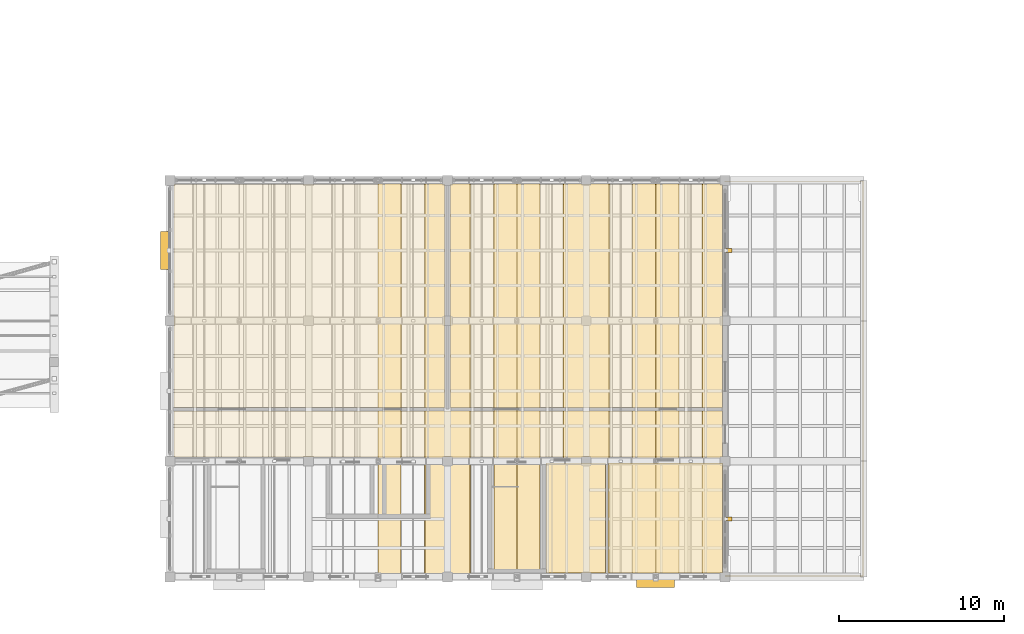
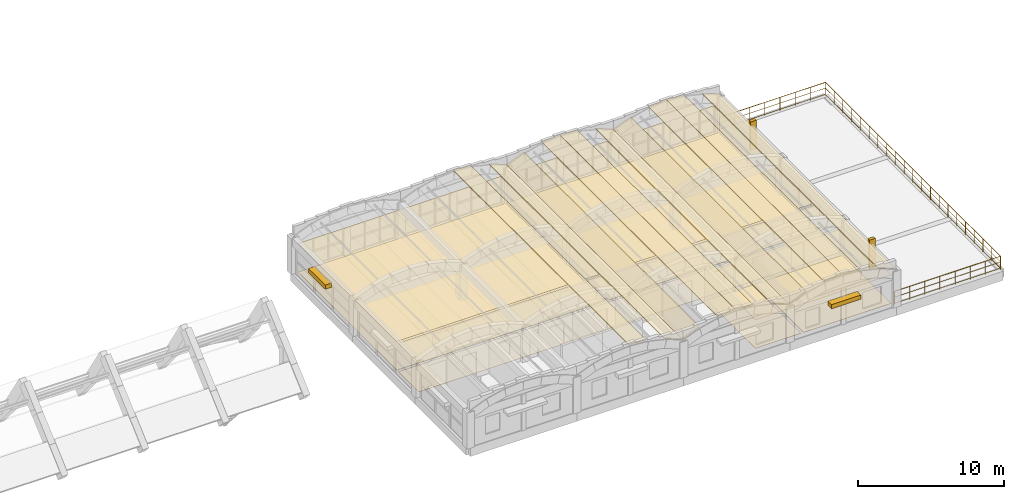
# One storey, part 39 of 40: 20 coverings, 4 shading devices, 1 railing.
"""IFC4 building model written with IfcOpenShell, lengths in metres."""

from ifc_helpers import new_model, si_unit, direction, frame, origin, origin_2d, place, context, subcontext, project, spatial, polyline, rectangle, circle, outline, extrude, material, layer, layer_set, type_object, element, save


model = new_model("IFC4")

# Units and contexts
model_context = context("Model", 3, precision=1e-05, world=origin(), true_north=direction((0.0, 1.0)))
body_context = subcontext(model_context, "Body", "Model", "MODEL_VIEW")
ifc_project = project(units=[si_unit("LENGTHUNIT", "METRE"), si_unit("AREAUNIT", "SQUARE_METRE"), si_unit("VOLUMEUNIT", "CUBIC_METRE"), si_unit("PLANEANGLEUNIT", "RADIAN"), si_unit("MASSUNIT", "GRAM", prefix="KILO")], contexts=[model_context])

# Site, building, storey
site_placement = place(None, origin())
site = spatial("IfcSite", under=ifc_project, at=site_placement, CompositionType="ELEMENT")
building_placement = place(site_placement, origin())
building = spatial("IfcBuilding", under=site, at=building_placement, Name="Trellovar Central Fire Station", CompositionType="ELEMENT")
storey_placement = place(building_placement, frame((0.0, 0.0, 12.75)))
storey = spatial("IfcBuildingStorey", under=building, at=storey_placement, Name="L04", CompositionType="ELEMENT", Elevation=12.75)

# Coverings
ifc_material_1 = material(Name="Perforated acoustic mineral fiber ceiling tile", Category="mineral")
ifc_layer_1 = layer(ifc_material_1, 0.02490234375)
ifc_layer_set_1 = layer_set([ifc_layer_1], Name="Perforated acoustic mineral fiber ceiling tile")
covering_type_1 = type_object("IfcCoveringType", Name="COV-CLG1", PredefinedType="CEILING", material=ifc_layer_set_1)
covering_1_placement = place(storey_placement, frame((0.0, 0.0, 2.3798828125)))
element("IfcCovering", 1, at=covering_1_placement, inside=storey, type_object=covering_type_1, Name="Executive Command Corridor suspended ceiling", PredefinedType="CEILING", context=body_context, shape_type="SweptSolid", body=[
    extrude(outline(polyline([(138.949951171875, 19.050048828125), (138.949951171875, 16.25), (105.75, 16.25), (105.75, 19.050048828125), (138.949951171875, 19.050048828125)])), origin(), (0.0, 0.0, 1.0), 0.025146484375),
])
covering_2_placement = place(storey_placement, frame((0.0, 0.0, 2.3798828125)))
element("IfcCovering", 2, at=covering_2_placement, inside=storey, type_object=covering_type_1, Name="Fire Chief and Deputy Chiefs Suite suspended ceiling", PredefinedType="CEILING", context=body_context, shape_type="SweptSolid", body=[
    extrude(outline(polyline([(122.14990234375, 32.75), (122.14990234375, 19.25), (105.75, 19.25), (105.75, 32.75), (122.14990234375, 32.75)])), origin(), (0.0, 0.0, 1.0), 0.025146484375),
])
covering_3_placement = place(storey_placement, frame((0.0, 0.0, 2.3798828125)))
element("IfcCovering", 3, at=covering_3_placement, inside=storey, type_object=covering_type_1, Name="Metropolitan Fire Commission Boardroom suspended ceiling", PredefinedType="CEILING", context=body_context, shape_type="SweptSolid", body=[
    extrude(outline(polyline([(138.949951171875, 32.75), (138.949951171875, 19.25), (122.449951171875, 19.25), (122.449951171875, 32.75), (138.949951171875, 32.75)])), origin(), (0.0, 0.0, 1.0), 0.025146484375),
])
covering_4_placement = place(storey_placement, frame((0.0, 0.0, 2.3798828125)))
element("IfcCovering", 4, at=covering_4_placement, inside=storey, type_object=covering_type_1, Name="Press Briefing Media Studio suspended ceiling", PredefinedType="CEILING", context=body_context, shape_type="SweptSolid", body=[
    extrude(outline(polyline([(138.949951171875, 15.89990234375), (138.949951171875, 9.25), (132.050048828125, 9.25), (132.050048828125, 15.89990234375), (138.949951171875, 15.89990234375)])), origin(), (0.0, 0.0, 1.0), 0.025146484375),
])
ifc_material_2 = material(Name="Moisture-resistant gypsum ceiling board", Category="gypsum")
ifc_layer_2 = layer(ifc_material_2, 0.030029296875)
ifc_layer_set_2 = layer_set([ifc_layer_2], Name="Moisture-resistant gypsum ceiling board")
covering_type_2 = type_object("IfcCoveringType", Name="COV-CLG2", PredefinedType="CEILING", material=ifc_layer_set_2)
covering_5_placement = place(storey_placement, frame((0.0, 0.0, 2.3798828125)))
element("IfcCovering", 5, at=covering_5_placement, inside=storey, type_object=covering_type_2, Name="Executive Accessible Restroom suspended ceiling", PredefinedType="CEILING", context=body_context, shape_type="SweptSolid", body=[
    extrude(outline(polyline([(131.85009765625, 15.89990234375), (131.85009765625, 9.25), (128.25, 9.25), (128.25, 15.89990234375), (131.85009765625, 15.89990234375)])), origin(), (0.0, 0.0, 1.0), 0.030029296875),
])
ifc_material_3 = material(Name="Vitrified Catalan ceramic floor tile", Category="masonry")
ifc_layer_3 = layer(ifc_material_3, 0.01806640625)
ifc_layer_set_3 = layer_set([ifc_layer_3], Name="Vitrified Catalan ceramic floor tile")
covering_type_3 = type_object("IfcCoveringType", Name="COV-FLR2", PredefinedType="FLOORING", material=ifc_layer_set_3)
covering_6_placement = place(storey_placement, origin())
element("IfcCovering", 6, at=covering_6_placement, inside=storey, type_object=covering_type_3, Name="Executive Command Corridor floor finish", PredefinedType="FLOORING", context=body_context, shape_type="SweptSolid", body=[
    extrude(outline(polyline([(138.949951171875, 19.050048828125), (138.949951171875, 16.25), (105.75, 16.25), (105.75, 19.050048828125), (138.949951171875, 19.050048828125)])), origin(), (0.0, 0.0, 1.0), 0.01806640625),
])
covering_7_placement = place(storey_placement, origin())
element("IfcCovering", 7, at=covering_7_placement, inside=storey, type_object=covering_type_3, Name="Fire Chief and Deputy Chiefs Suite floor finish", PredefinedType="FLOORING", context=body_context, shape_type="SweptSolid", body=[
    extrude(outline(polyline([(122.14990234375, 32.75), (122.14990234375, 19.25), (105.75, 19.25), (105.75, 32.75), (122.14990234375, 32.75)])), origin(), (0.0, 0.0, 1.0), 0.01806640625),
])
covering_8_placement = place(storey_placement, origin())
element("IfcCovering", 8, at=covering_8_placement, inside=storey, type_object=covering_type_3, Name="Metropolitan Fire Commission Boardroom floor finish", PredefinedType="FLOORING", context=body_context, shape_type="SweptSolid", body=[
    extrude(outline(polyline([(138.949951171875, 32.75), (138.949951171875, 19.25), (122.449951171875, 19.25), (122.449951171875, 32.75), (138.949951171875, 32.75)])), origin(), (0.0, 0.0, 1.0), 0.01806640625),
])
covering_9_placement = place(storey_placement, origin())
element("IfcCovering", 9, at=covering_9_placement, inside=storey, type_object=covering_type_3, Name="Executive Accessible Restroom floor finish", PredefinedType="FLOORING", context=body_context, shape_type="SweptSolid", body=[
    extrude(outline(polyline([(131.85009765625, 15.89990234375), (131.85009765625, 9.25), (128.25, 9.25), (128.25, 15.89990234375), (131.85009765625, 15.89990234375)])), origin(), (0.0, 0.0, 1.0), 0.01806640625),
])
covering_10_placement = place(storey_placement, origin())
element("IfcCovering", 10, at=covering_10_placement, inside=storey, type_object=covering_type_3, Name="Press Briefing Media Studio floor finish", PredefinedType="FLOORING", context=body_context, shape_type="SweptSolid", body=[
    extrude(outline(polyline([(138.949951171875, 15.89990234375), (138.949951171875, 9.25), (132.050048828125, 9.25), (132.050048828125, 15.89990234375), (138.949951171875, 15.89990234375)])), origin(), (0.0, 0.0, 1.0), 0.01806640625),
])
ifc_material_4 = material(Name="Glazed ceramic trencadis roofing", Category="masonry")
ifc_layer_4 = layer(ifc_material_4, 0.06005859375)
ifc_layer_set_4 = layer_set([ifc_layer_4], Name="Glazed ceramic trencadis roofing")
covering_type_4 = type_object("IfcCoveringType", Name="COV-RF1", PredefinedType="ROOFING", material=ifc_layer_set_4)
covering_11_placement = place(storey_placement, frame((118.106689453125, 9.0, 4.0595703125), z_axis=(0.079063877419, 0.0, 0.996869551791), x_axis=(0.996869551791, 0.0, -0.079063877419)))
element("IfcCovering", 11, at=covering_11_placement, inside=storey, type_object=covering_type_4, Name="V5 glazed trencadis vault covering 02-04", PredefinedType="ROOFING", context=body_context, shape_type="SweptSolid", body=[
    extrude(outline(polyline([(0.0, 0.0), (1.3957266719357477, 0.0), (1.3957266719357477, 23.999999999999996), (0.0, 23.999999999999996), (0.0, 0.0)])), origin(), (0.0, 0.0, -1.0), 0.06005859375),
])
covering_12_placement = place(storey_placement, frame((120.924072265625, 9.0, 3.60595703125), z_axis=(0.368797956889, 0.0, 0.929509584133), x_axis=(0.929509584133, 0.0, -0.368797956889)))
element("IfcCovering", 12, at=covering_12_placement, inside=storey, type_object=covering_type_4, Name="V5 glazed trencadis vault covering 02-06", PredefinedType="ROOFING", context=body_context, shape_type="SweptSolid", body=[
    extrude(outline(polyline([(0.0, 0.0), (1.4782240667069908, 0.0), (1.4782240667069908, 24.0), (0.0, 24.0), (0.0, 0.0)])), origin(), (0.0, 0.0, -1.0), 0.06005859375),
])
covering_13_placement = place(storey_placement, frame((122.302001953125, 9.0, 3.060791015625), z_axis=(-0.368854581285, 0.0, 0.929487115492), x_axis=(0.929487115492, 0.0, 0.368854581285)))
element("IfcCovering", 13, at=covering_13_placement, inside=storey, type_object=covering_type_4, Name="V5 glazed trencadis vault covering 03-01", PredefinedType="ROOFING", context=body_context, shape_type="SweptSolid", body=[
    extrude(outline(polyline([(0.0, 0.0), (1.477997138398721, 0.0), (1.477997138398721, 24.0), (0.0, 24.0), (0.0, 0.0)])), origin(), (0.0, 0.0, -1.0), 0.06005859375),
])
for number, where, z_axis, x_axis, name in (
    (14, (125.10205078125, 9.0, 3.94921875), (-0.079063877419, 0.0, 0.996869551791), (0.996869551791, 0.0, 0.079063877419), "V5 glazed trencadis vault covering 03-03"),
    (15, (126.506591796875, 9.0, 4.0595703125), (0.079063877419, 0.0, 0.996869551791), (0.996869551791, 0.0, -0.079063877419), "V5 glazed trencadis vault covering 03-04"),
):
    element("IfcCovering", number, at=place(storey_placement, frame(where, z_axis=z_axis, x_axis=x_axis)), inside=storey, type_object=covering_type_4, Name=name, PredefinedType="ROOFING", context=body_context, shape_type="SweptSolid", body=[
        extrude(outline(polyline([(0.0, 0.0), (1.3957266719357477, 0.0), (1.3957266719357477, 23.999999999999996), (0.0, 23.999999999999996), (0.0, 0.0)])), origin(), (0.0, 0.0, -1.0), 0.06005859375),
    ])
covering_14_placement = place(storey_placement, frame((129.32421875, 9.0, 3.60595703125), z_axis=(0.368854581285, 0.0, 0.929487115492), x_axis=(0.929487115492, 0.0, -0.368854581285)))
element("IfcCovering", 16, at=covering_14_placement, inside=storey, type_object=covering_type_4, Name="V5 glazed trencadis vault covering 03-06", PredefinedType="ROOFING", context=body_context, shape_type="SweptSolid", body=[
    extrude(outline(polyline([(0.0, 0.0), (1.477997138398721, 0.0), (1.477997138398721, 24.0), (0.0, 24.0), (0.0, 0.0)])), origin(), (0.0, 0.0, -1.0), 0.06005859375),
])
covering_15_placement = place(storey_placement, frame((130.701904296875, 9.0, 3.060791015625), z_axis=(-0.368797956889, 0.0, 0.929509584133), x_axis=(0.929509584133, 0.0, 0.368797956889)))
element("IfcCovering", 17, at=covering_15_placement, inside=storey, type_object=covering_type_4, Name="V5 glazed trencadis vault covering 04-01", PredefinedType="ROOFING", context=body_context, shape_type="SweptSolid", body=[
    extrude(outline(polyline([(0.0, 0.0), (1.4782240667069908, 0.0), (1.4782240667069908, 24.0), (0.0, 24.0), (0.0, 0.0)])), origin(), (0.0, 0.0, -1.0), 0.06005859375),
])
for number, where, z_axis, x_axis, name in (
    (18, (133.501953125, 9.0, 3.94921875), (-0.079063877419, 0.0, 0.996869551791), (0.996869551791, 0.0, 0.079063877419), "V5 glazed trencadis vault covering 04-03"),
    (19, (134.90673828125, 9.0, 4.0595703125), (0.079063877419, 0.0, 0.996869551791), (0.996869551791, 0.0, -0.079063877419), "V5 glazed trencadis vault covering 04-04"),
):
    element("IfcCovering", number, at=place(storey_placement, frame(where, z_axis=z_axis, x_axis=x_axis)), inside=storey, type_object=covering_type_4, Name=name, PredefinedType="ROOFING", context=body_context, shape_type="SweptSolid", body=[
        extrude(outline(polyline([(0.0, 0.0), (1.3957266719357477, 0.0), (1.3957266719357477, 23.999999999999996), (0.0, 23.999999999999996), (0.0, 0.0)])), origin(), (0.0, 0.0, -1.0), 0.06005859375),
    ])
covering_16_placement = place(storey_placement, frame((137.72412109375, 9.0, 3.60595703125), z_axis=(0.368854581285, 0.0, 0.929487115492), x_axis=(0.929487115492, 0.0, -0.368854581285)))
element("IfcCovering", 20, at=covering_16_placement, inside=storey, type_object=covering_type_4, Name="V5 glazed trencadis vault covering 04-06", PredefinedType="ROOFING", context=body_context, shape_type="SweptSolid", body=[
    extrude(outline(polyline([(0.0, 0.0), (1.477997138398721, 0.0), (1.477997138398721, 24.0), (0.0, 24.0), (0.0, 0.0)])), origin(), (0.0, 0.0, -1.0), 0.06005859375),
])

# Railing
ifc_material_5 = material(Name="Patina bronze wrought metalwork", Category="metal")
ifc_layer_5 = layer(ifc_material_5, 0.06005859375)
ifc_layer_set_5 = layer_set([ifc_layer_5], Name="Patina bronze wrought metalwork")
railing_type = type_object("IfcRailingType", Name="RL-GUARD1", PredefinedType="GUARDRAIL", material=ifc_layer_set_5)
railing_placement = place(storey_placement, frame((139.10009765625, 9.050048828125, 0.0)))
element("IfcRailing", 21, at=railing_placement, inside=storey, type_object=railing_type, Name="V5 L04 east terrace guardrail", PredefinedType="GUARDRAIL", context=body_context, shape_type="SweptSolid", body=[
    extrude(circle(Radius=0.02392578125, at=origin_2d()), frame((0.0, 0.0, 1.09619140625), z_axis=(1.0, 0.0, 0.0), x_axis=(0.0, 1.0, 0.0)), (0.0, 0.0, 1.0), 8.349853515625),
    extrude(circle(Radius=0.015625, at=origin_2d()), frame((0.0, 0.0, 0.10009765625), z_axis=(1.0, 0.0, 0.0), x_axis=(0.0, 1.0, 0.0)), (0.0, 0.0, 1.0), 8.349853515625),
    extrude(circle(Radius=0.015625, at=origin_2d()), frame((0.0, 0.0, 0.615966796875), z_axis=(1.0, 0.0, 0.0), x_axis=(0.0, 1.0, 0.0)), (0.0, 0.0, 1.0), 8.349853515625),
    extrude(circle(Radius=0.02392578125, at=origin_2d()), frame((8.349853515625, 0.0, 1.09619140625), z_axis=(0.0, 1.0, 0.0), x_axis=(-1.0, 0.0, 0.0)), (0.0, 0.0, 1.0), 23.89990234375),
    extrude(circle(Radius=0.015625, at=origin_2d()), frame((8.349853515625, 0.0, 0.10009765625), z_axis=(0.0, 1.0, 0.0), x_axis=(-1.0, 0.0, 0.0)), (0.0, 0.0, 1.0), 23.89990234375),
    extrude(circle(Radius=0.015625, at=origin_2d()), frame((8.349853515625, 0.0, 0.615966796875), z_axis=(0.0, 1.0, 0.0), x_axis=(-1.0, 0.0, 0.0)), (0.0, 0.0, 1.0), 23.89990234375),
    extrude(circle(Radius=0.02392578125, at=origin_2d()), frame((8.349853515625, 23.89990234375, 1.09619140625), z_axis=(-1.0, 0.0, 0.0), x_axis=(0.0, -1.0, 0.0)), (0.0, 0.0, 1.0), 8.349853515625),
    extrude(circle(Radius=0.015625, at=origin_2d()), frame((8.349853515625, 23.89990234375, 0.10009765625), z_axis=(-1.0, 0.0, 0.0), x_axis=(0.0, -1.0, 0.0)), (0.0, 0.0, 1.0), 8.349853515625),
    extrude(circle(Radius=0.015625, at=origin_2d()), frame((8.349853515625, 23.89990234375, 0.615966796875), z_axis=(-1.0, 0.0, 0.0), x_axis=(0.0, -1.0, 0.0)), (0.0, 0.0, 1.0), 8.349853515625),
    extrude(circle(Radius=0.02099609375, at=origin_2d()), origin(), (0.0, 0.0, 1.0), 1.072021484375),
    extrude(circle(Radius=0.02099609375, at=origin_2d()), frame((1.19287109375, 0.0, 0.0)), (0.0, 0.0, 1.0), 1.072021484375),
    extrude(circle(Radius=0.02099609375, at=origin_2d()), frame((2.3857421875, 0.0, 0.0)), (0.0, 0.0, 1.0), 1.072021484375),
    extrude(circle(Radius=0.02099609375, at=origin_2d()), frame((3.57861328125, 0.0, 0.0)), (0.0, 0.0, 1.0), 1.072021484375),
    extrude(circle(Radius=0.02099609375, at=origin_2d()), frame((4.771240234375, 0.0, 0.0)), (0.0, 0.0, 1.0), 1.072021484375),
    extrude(circle(Radius=0.02099609375, at=origin_2d()), frame((5.964111328125, 0.0, 0.0)), (0.0, 0.0, 1.0), 1.072021484375),
    extrude(circle(Radius=0.02099609375, at=origin_2d()), frame((7.156982421875, 0.0, 0.0)), (0.0, 0.0, 1.0), 1.072021484375),
    extrude(circle(Radius=0.02099609375, at=origin_2d()), frame((8.349853515625, 0.0, 0.0)), (0.0, 0.0, 1.0), 1.072021484375),
    extrude(circle(Radius=0.02099609375, at=origin_2d()), frame((8.349853515625, 1.195068359375, 0.0)), (0.0, 0.0, 1.0), 1.072021484375),
    extrude(circle(Radius=0.02099609375, at=origin_2d()), frame((8.349853515625, 2.389892578125, 0.0)), (0.0, 0.0, 1.0), 1.072021484375),
    extrude(circle(Radius=0.02099609375, at=origin_2d()), frame((8.349853515625, 3.5849609375, 0.0)), (0.0, 0.0, 1.0), 1.072021484375),
    extrude(circle(Radius=0.02099609375, at=origin_2d()), frame((8.349853515625, 4.780029296875, 0.0)), (0.0, 0.0, 1.0), 1.072021484375),
    extrude(circle(Radius=0.02099609375, at=origin_2d()), frame((8.349853515625, 5.97509765625, 0.0)), (0.0, 0.0, 1.0), 1.072021484375),
    extrude(circle(Radius=0.02099609375, at=origin_2d()), frame((8.349853515625, 7.169921875, 0.0)), (0.0, 0.0, 1.0), 1.072021484375),
    extrude(circle(Radius=0.02099609375, at=origin_2d()), frame((8.349853515625, 8.364990234375, 0.0)), (0.0, 0.0, 1.0), 1.072021484375),
    extrude(circle(Radius=0.02099609375, at=origin_2d()), frame((8.349853515625, 9.56005859375, 0.0)), (0.0, 0.0, 1.0), 1.072021484375),
    extrude(circle(Radius=0.02099609375, at=origin_2d()), frame((8.349853515625, 10.7548828125, 0.0)), (0.0, 0.0, 1.0), 1.072021484375),
    extrude(circle(Radius=0.02099609375, at=origin_2d()), frame((8.349853515625, 11.949951171875, 0.0)), (0.0, 0.0, 1.0), 1.072021484375),
    extrude(circle(Radius=0.02099609375, at=origin_2d()), frame((8.349853515625, 13.14501953125, 0.0)), (0.0, 0.0, 1.0), 1.072021484375),
    extrude(circle(Radius=0.02099609375, at=origin_2d()), frame((8.349853515625, 14.33984375, 0.0)), (0.0, 0.0, 1.0), 1.072021484375),
    extrude(circle(Radius=0.02099609375, at=origin_2d()), frame((8.349853515625, 15.534912109375, 0.0)), (0.0, 0.0, 1.0), 1.072021484375),
    extrude(circle(Radius=0.02099609375, at=origin_2d()), frame((8.349853515625, 16.72998046875, 0.0)), (0.0, 0.0, 1.0), 1.072021484375),
    extrude(circle(Radius=0.02099609375, at=origin_2d()), frame((8.349853515625, 17.9248046875, 0.0)), (0.0, 0.0, 1.0), 1.072021484375),
    extrude(circle(Radius=0.02099609375, at=origin_2d()), frame((8.349853515625, 19.119873046875, 0.0)), (0.0, 0.0, 1.0), 1.072021484375),
    extrude(circle(Radius=0.02099609375, at=origin_2d()), frame((8.349853515625, 20.31494140625, 0.0)), (0.0, 0.0, 1.0), 1.072021484375),
    extrude(circle(Radius=0.02099609375, at=origin_2d()), frame((8.349853515625, 21.510009765625, 0.0)), (0.0, 0.0, 1.0), 1.072021484375),
    extrude(circle(Radius=0.02099609375, at=origin_2d()), frame((8.349853515625, 22.704833984375, 0.0)), (0.0, 0.0, 1.0), 1.072021484375),
    extrude(circle(Radius=0.02099609375, at=origin_2d()), frame((8.349853515625, 23.89990234375, 0.0)), (0.0, 0.0, 1.0), 1.072021484375),
    extrude(circle(Radius=0.02099609375, at=origin_2d()), frame((7.156982421875, 23.89990234375, 0.0)), (0.0, 0.0, 1.0), 1.072021484375),
    extrude(circle(Radius=0.02099609375, at=origin_2d()), frame((5.964111328125, 23.89990234375, 0.0)), (0.0, 0.0, 1.0), 1.072021484375),
    extrude(circle(Radius=0.02099609375, at=origin_2d()), frame((4.771240234375, 23.89990234375, 0.0)), (0.0, 0.0, 1.0), 1.072021484375),
    extrude(circle(Radius=0.02099609375, at=origin_2d()), frame((3.57861328125, 23.89990234375, 0.0)), (0.0, 0.0, 1.0), 1.072021484375),
    extrude(circle(Radius=0.02099609375, at=origin_2d()), frame((2.3857421875, 23.89990234375, 0.0)), (0.0, 0.0, 1.0), 1.072021484375),
    extrude(circle(Radius=0.02099609375, at=origin_2d()), frame((1.19287109375, 23.89990234375, 0.0)), (0.0, 0.0, 1.0), 1.072021484375),
    extrude(circle(Radius=0.02099609375, at=origin_2d()), frame((0.0, 23.89990234375, 0.0)), (0.0, 0.0, 1.0), 1.072021484375),
])

# Shading devices
ifc_material_6 = material(Name="Glazed ceramic trencadis and terracotta panel", Category="masonry")
shading_device_type_1 = type_object("IfcShadingDeviceType", Name="SHD-LV1", PredefinedType="JALOUSIE", material=ifc_material_6)
for number, where, z_axis, x_axis, name in (
    (22, (134.89990234375, 8.614990234375, 1.93017578125), (0.0, 0.0, 1.0), (1.0, 0.0, 0.0), "L04 Catalan solar brise-soleil LV-1"),
    (23, (105.18505859375, 28.75, 1.97998046875), (0.0, 0.0, 1.0), (0.0, 1.0, 0.0), "L04 Catalan solar brise-soleil LV-1"),
):
    element("IfcShadingDevice", number, at=place(storey_placement, frame(where, z_axis=z_axis, x_axis=x_axis)), inside=storey, type_object=shading_device_type_1, Name=name, PredefinedType="JALOUSIE", context=body_context, shape_type="SweptSolid", body=[
        extrude(rectangle(XDim=2.300048828125, YDim=0.5, at=origin_2d()), origin(), (0.0, 0.0, 1.0), 0.340087890625),
    ])
ifc_material_7 = material(Name="Patina bronze wrought metalwork", Category="metal")
shading_device_type_2 = type_object("IfcShadingDeviceType", Name="SHD-LV2", PredefinedType="SHUTTER", material=ifc_material_7)
for number, where, z_axis, x_axis, name in (
    (24, (139.284912109375, 12.5, 0.949951171875), (0.0, 0.0, 1.0), (1.0, 0.0, 0.0), "L04 Catalan solar brise-soleil LV-2"),
    (25, (139.284912109375, 28.75, 0.949951171875), (0.0, 0.0, 1.0), (1.0, 0.0, 0.0), "L04 Catalan solar brise-soleil LV-2"),
):
    element("IfcShadingDevice", number, at=place(storey_placement, frame(where, z_axis=z_axis, x_axis=x_axis)), inside=storey, type_object=shading_device_type_2, Name=name, PredefinedType="SHUTTER", context=body_context, shape_type="SweptSolid", body=[
        extrude(rectangle(XDim=0.449951171875, YDim=0.239990234375, at=origin_2d()), origin(), (0.0, 0.0, 1.0), 2.39990234375),
    ])

save(model, "model.ifc")
